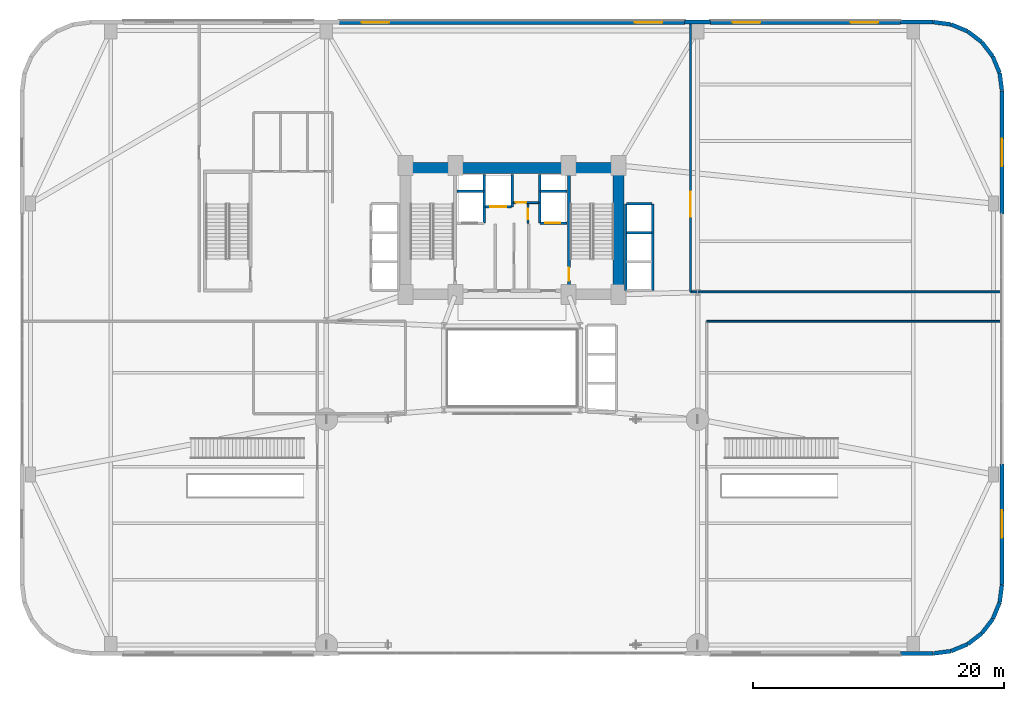
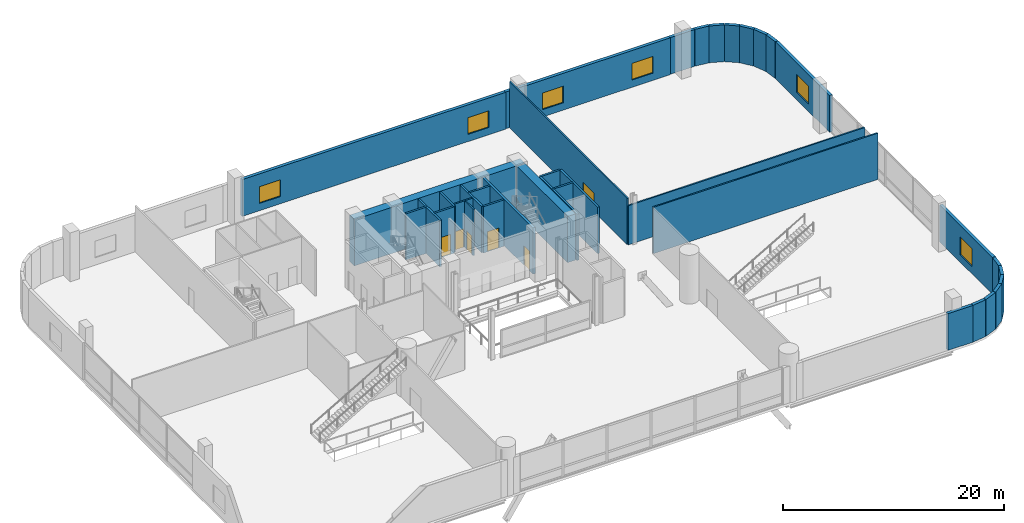
# One storey, part 32 of 40: 38 walls, 6 doors, 6 windows, 12 openings.
"""IFC4 building model written with IfcOpenShell, lengths in metres."""

from ifc_helpers import new_model, si_unit, direction, frame, frame_2d, origin, place, context, subcontext, project, spatial, rectangle, extrude, material, layer, layer_set, type_object, element, fill, save


model = new_model("IFC4")

# Units and contexts
model_context = context("Model", 3, precision=1e-05, world=origin(), true_north=direction((0.0, 1.0)))
body_context = subcontext(model_context, "Body", "Model", "MODEL_VIEW")
ifc_project = project(units=[si_unit("LENGTHUNIT", "METRE"), si_unit("AREAUNIT", "SQUARE_METRE"), si_unit("VOLUMEUNIT", "CUBIC_METRE"), si_unit("PLANEANGLEUNIT", "RADIAN"), si_unit("MASSUNIT", "GRAM", prefix="KILO")], contexts=[model_context])

# Site, building, storey
site_placement = place(None, origin())
site = spatial("IfcSite", under=ifc_project, at=site_placement, CompositionType="ELEMENT")
building_placement = place(site_placement, origin())
building = spatial("IfcBuilding", under=site, at=building_placement, Name="Varnelok Gate Tower", CompositionType="ELEMENT")
storey_placement = place(building_placement, frame((0.0, 0.0, 5.39990234375)))
storey = spatial("IfcBuildingStorey", under=building, at=storey_placement, Name="L01", CompositionType="ELEMENT", Elevation=5.39990234375)

# Wall, openings, windows
ifc_material_1 = material(Name="Concrete C45/55", Category="concrete")
ifc_layer_1 = layer(ifc_material_1, 0.320068359375)
ifc_layer_set_1 = layer_set([ifc_layer_1], Name="Concrete C45/55")
wall_type_1 = type_object("IfcWallType", Name="EW-POD-320", PredefinedType="SOLIDWALL", material=ifc_layer_set_1)
wall_1_placement = place(storey_placement, frame((25.39990234375, 50.43994140625, 0.0), z_axis=(0.0, 0.0, 1.0), x_axis=(1.0, 0.0, 0.0)))
wall_1 = element("IfcWall", 1, at=wall_1_placement, inside=storey, type_object=wall_type_1, Name="L01 North Podium Wall 2", PredefinedType="SOLIDWALL", context=body_context, shape_type="SweptSolid", body=[
    extrude(rectangle(XDim=27.60009765625, YDim=0.320068359375, at=frame_2d((13.800048828125, 0.0))), origin(), (0.0, 0.0, 1.0), 4.070068359375),
])
opening_1_placement = place(wall_1_placement, frame((1.800048828125, 0.0, 0.800048828125)))
opening_1 = element("IfcOpeningElement", 2, at=opening_1_placement, cuts=wall_1, Name="Opening WN2", PredefinedType="OPENING", context=body_context, shape_type="SweptSolid", body=[
    extrude(rectangle(XDim=2.199951171875, YDim=1.85009765625, at=frame_2d((1.10009765625, 0.925048828125))), frame((0.0, 0.169921875, 0.0), z_axis=(0.0, -1.0, 0.0), x_axis=(1.0, 0.0, 0.0)), (0.0, 0.0, 1.0), 0.340087890625),
])
opening_2_placement = place(wall_1_placement, frame((23.60009765625, 0.0, 0.800048828125)))
opening_2 = element("IfcOpeningElement", 3, at=opening_2_placement, cuts=wall_1, Name="Opening WN2", PredefinedType="OPENING", context=body_context, shape_type="SweptSolid", body=[
    extrude(rectangle(XDim=2.199951171875, YDim=1.85009765625, at=frame_2d((1.10009765625, 0.925048828125))), frame((0.0, 0.169921875, 0.0), z_axis=(0.0, -1.0, 0.0), x_axis=(1.0, 0.0, 0.0)), (0.0, 0.0, 1.0), 0.340087890625),
])
ifc_material_2 = material(Name="Low-E Laminated Double Glazing IGU", Category="glass")
window_type_1 = type_object("IfcWindowType", Name="WN-POD-2200", PartitioningType="SINGLE_PANEL", PredefinedType="WINDOW", material=ifc_material_2)
window_1_placement = place(opening_1_placement, origin())
window_1 = element("IfcWindow", 4, at=window_1_placement, inside=storey, type_object=window_type_1, Name="L01 Podium Window N2.1", OverallHeight=1.85009765625, OverallWidth=2.199951171875, PartitioningType="SINGLE_PANEL", PredefinedType="WINDOW", context=body_context, shape_type="SweptSolid", body=[
    extrude(rectangle(XDim=2.199951171875, YDim=1.85009765625, at=frame_2d((1.10009765625, 0.925048828125))), frame((0.0, 0.030029296875, 0.0), z_axis=(0.0, -1.0, 0.0), x_axis=(1.0, 0.0, 0.0)), (0.0, 0.0, 1.0), 0.06005859375),
])
fill(opening_1, window_1)
window_2_placement = place(opening_2_placement, origin())
window_2 = element("IfcWindow", 5, at=window_2_placement, inside=storey, type_object=window_type_1, Name="L01 Podium Window N2.2", OverallHeight=1.85009765625, OverallWidth=2.199951171875, PartitioningType="SINGLE_PANEL", PredefinedType="WINDOW", context=body_context, shape_type="SweptSolid", body=[
    extrude(rectangle(XDim=2.199951171875, YDim=1.85009765625, at=frame_2d((1.10009765625, 0.925048828125))), frame((0.0, 0.030029296875, 0.0), z_axis=(0.0, -1.0, 0.0), x_axis=(1.0, 0.0, 0.0)), (0.0, 0.0, 1.0), 0.06005859375),
])
fill(opening_2, window_2)

wall_2_placement = place(storey_placement, frame((55.0, 50.43994140625, 0.0), z_axis=(0.0, 0.0, 1.0), x_axis=(1.0, 0.0, 0.0)))
wall_2 = element("IfcWall", 6, at=wall_2_placement, inside=storey, type_object=wall_type_1, Name="L01 North Podium Wall 3", PredefinedType="SOLIDWALL", context=body_context, shape_type="SweptSolid", body=[
    extrude(rectangle(XDim=15.199951171875, YDim=0.320068359375, at=frame_2d((7.60009765625, 0.0))), origin(), (0.0, 0.0, 1.0), 4.070068359375),
])
opening_3_placement = place(wall_2_placement, frame((1.800048828125, 0.0, 0.800048828125)))
opening_3 = element("IfcOpeningElement", 7, at=opening_3_placement, cuts=wall_2, Name="Opening WN2", PredefinedType="OPENING", context=body_context, shape_type="SweptSolid", body=[
    extrude(rectangle(XDim=2.199951171875, YDim=1.85009765625, at=frame_2d((1.10009765625, 0.925048828125))), frame((0.0, 0.169921875, 0.0), z_axis=(0.0, -1.0, 0.0), x_axis=(1.0, 0.0, 0.0)), (0.0, 0.0, 1.0), 0.340087890625),
])
opening_4_placement = place(wall_2_placement, frame((11.199951171875, 0.0, 0.800048828125)))
opening_4 = element("IfcOpeningElement", 8, at=opening_4_placement, cuts=wall_2, Name="Opening WN2", PredefinedType="OPENING", context=body_context, shape_type="SweptSolid", body=[
    extrude(rectangle(XDim=2.199951171875, YDim=1.85009765625, at=frame_2d((1.10009765625, 0.925048828125))), frame((0.0, 0.169921875, 0.0), z_axis=(0.0, -1.0, 0.0), x_axis=(1.0, 0.0, 0.0)), (0.0, 0.0, 1.0), 0.340087890625),
])
window_3_placement = place(opening_3_placement, origin())
window_3 = element("IfcWindow", 9, at=window_3_placement, inside=storey, type_object=window_type_1, Name="L01 Podium Window N3.1", OverallHeight=1.85009765625, OverallWidth=2.199951171875, PartitioningType="SINGLE_PANEL", PredefinedType="WINDOW", context=body_context, shape_type="SweptSolid", body=[
    extrude(rectangle(XDim=2.199951171875, YDim=1.85009765625, at=frame_2d((1.10009765625, 0.925048828125))), frame((0.0, 0.030029296875, 0.0), z_axis=(0.0, -1.0, 0.0), x_axis=(1.0, 0.0, 0.0)), (0.0, 0.0, 1.0), 0.06005859375),
])
fill(opening_3, window_3)
window_4_placement = place(opening_4_placement, origin())
window_4 = element("IfcWindow", 10, at=window_4_placement, inside=storey, type_object=window_type_1, Name="L01 Podium Window N3.2", OverallHeight=1.85009765625, OverallWidth=2.199951171875, PartitioningType="SINGLE_PANEL", PredefinedType="WINDOW", context=body_context, shape_type="SweptSolid", body=[
    extrude(rectangle(XDim=2.199951171875, YDim=1.85009765625, at=frame_2d((1.10009765625, 0.925048828125))), frame((0.0, 0.030029296875, 0.0), z_axis=(0.0, -1.0, 0.0), x_axis=(1.0, 0.0, 0.0)), (0.0, 0.0, 1.0), 0.06005859375),
])
fill(opening_4, window_4)

# Walls
wall_3_placement = place(storey_placement, frame((70.169921875, 0.1201171875, 0.0), z_axis=(0.0, 0.0, 1.0), x_axis=(1.0, 0.0, 0.0)))
element("IfcWall", 11, at=wall_3_placement, inside=storey, type_object=wall_type_1, Name="L01 Perimeter Facade Closure Wall 10", PredefinedType="SOLIDWALL", context=body_context, shape_type="SweptSolid", body=[
    extrude(rectangle(XDim=2.6220703125, YDim=0.320068359375, at=frame_2d((1.31103515625, 0.0))), origin(), (0.0, 0.0, 1.0), 4.070068359375),
])
wall_4_placement = place(storey_placement, frame((72.81689453125, 0.123291015625, 0.0), z_axis=(0.0, 0.0, 1.0), x_axis=(0.991457235349, 0.130432168094, 0.0)))
element("IfcWall", 12, at=wall_4_placement, inside=storey, type_object=wall_type_1, Name="L01 Perimeter Facade Closure Wall 11", PredefinedType="SOLIDWALL", context=body_context, shape_type="SweptSolid", body=[
    extrude(rectangle(XDim=1.4130859375, YDim=0.320068359375, at=frame_2d((0.70654296875, 0.0))), origin(), (0.0, 0.0, 1.0), 4.070068359375),
])
for number, where, z_axis, x_axis, name in (
    (13, (74.2412109375, 0.3173828125, 0.0), (0.0, 0.0, 1.0), (0.923927911071, 0.382566615302, 0.0), "L01 Perimeter Facade Closure Wall 12"),
    (14, (75.559326171875, 0.870361328125, 0.0), (0.0, 0.0, 1.0), (0.79338541907, 0.60871962085, 0.0), "L01 Perimeter Facade Closure Wall 13"),
    (15, (76.689453125, 1.74560546875, 0.0), (0.0, 0.0, 1.0), (0.60871962085, 0.79338541907, 0.0), "L01 Perimeter Facade Closure Wall 14"),
    (16, (77.554443359375, 2.883544921875, 0.0), (0.0, 0.0, 1.0), (0.382714908977, 0.923866493844, 0.0), "L01 Perimeter Facade Closure Wall 15"),
):
    element("IfcWall", number, at=place(storey_placement, frame(where, z_axis=z_axis, x_axis=x_axis)), inside=storey, type_object=wall_type_1, Name=name, PredefinedType="SOLIDWALL", context=body_context, shape_type="SweptSolid", body=[
        extrude(rectangle(XDim=1.4052734375, YDim=0.320068359375, at=frame_2d((0.70263671875, 0.0))), origin(), (0.0, 0.0, 1.0), 4.070068359375),
    ])
wall_5_placement = place(storey_placement, frame((78.095703125, 4.206787109375, 0.0), z_axis=(0.0, 0.0, 1.0), x_axis=(0.130432168094, 0.991457235349, 0.0)))
element("IfcWall", 17, at=wall_5_placement, inside=storey, type_object=wall_type_1, Name="L01 Perimeter Facade Closure Wall 16", PredefinedType="SOLIDWALL", context=body_context, shape_type="SweptSolid", body=[
    extrude(rectangle(XDim=1.4130859375, YDim=0.320068359375, at=frame_2d((0.70654296875, 0.0))), origin(), (0.0, 0.0, 1.0), 4.070068359375),
])

# Wall, opening, window
wall_6_placement = place(storey_placement, frame((78.280029296875, 5.6328125, 0.0), z_axis=(0.0, 0.0, 1.0), x_axis=(0.0, 1.0, 0.0)))
wall_6 = element("IfcWall", 18, at=wall_6_placement, inside=storey, type_object=wall_type_1, Name="L01 Perimeter Facade Closure Wall 17", PredefinedType="SOLIDWALL", context=body_context, shape_type="SweptSolid", body=[
    extrude(rectangle(XDim=9.59716796875, YDim=0.320068359375, at=frame_2d((4.798583984375, 0.0))), origin(), (0.0, 0.0, 1.0), 4.070068359375),
])
opening_5_placement = place(wall_6_placement, frame((3.698486328125, 0.0, 0.800048828125)))
opening_5 = element("IfcOpeningElement", 19, at=opening_5_placement, cuts=wall_6, Name="Opening WN2A", PredefinedType="OPENING", context=body_context, shape_type="SweptSolid", body=[
    extrude(rectangle(XDim=2.199951171875, YDim=2.0, at=frame_2d((1.10009765625, 1.0))), frame((0.0, 0.169921875, 0.0), z_axis=(0.0, -1.0, 0.0), x_axis=(1.0, 0.0, 0.0)), (0.0, 0.0, 1.0), 0.340087890625),
])
window_type_2 = type_object("IfcWindowType", Name="WN-POD-2200X2000", PartitioningType="SINGLE_PANEL", PredefinedType="WINDOW", material=ifc_material_2)
window_5_placement = place(opening_5_placement, origin())
window_5 = element("IfcWindow", 20, at=window_5_placement, inside=storey, type_object=window_type_2, Name="L01 Perimeter Vision Window 17", OverallHeight=2.0, OverallWidth=2.199951171875, PartitioningType="SINGLE_PANEL", PredefinedType="WINDOW", context=body_context, shape_type="SweptSolid", body=[
    extrude(rectangle(XDim=2.199951171875, YDim=2.0, at=frame_2d((1.10009765625, 1.0))), frame((0.0, 0.030029296875, 0.0), z_axis=(0.0, -1.0, 0.0), x_axis=(1.0, 0.0, 0.0)), (0.0, 0.0, 1.0), 0.06005859375),
])
fill(opening_5, window_5)

wall_7_placement = place(storey_placement, frame((78.280029296875, 35.169921875, 0.0), z_axis=(0.0, 0.0, 1.0), x_axis=(0.0, 1.0, 0.0)))
wall_7 = element("IfcWall", 21, at=wall_7_placement, inside=storey, type_object=wall_type_1, Name="L01 Perimeter Facade Closure Wall 18", PredefinedType="SOLIDWALL", context=body_context, shape_type="SweptSolid", body=[
    extrude(rectangle(XDim=9.822265625, YDim=0.320068359375, at=frame_2d((4.9111328125, 0.0))), origin(), (0.0, 0.0, 1.0), 4.070068359375),
])
opening_6_placement = place(wall_7_placement, frame((3.81103515625, 0.0, 0.800048828125)))
opening_6 = element("IfcOpeningElement", 22, at=opening_6_placement, cuts=wall_7, Name="Opening WN2A", PredefinedType="OPENING", context=body_context, shape_type="SweptSolid", body=[
    extrude(rectangle(XDim=2.199951171875, YDim=2.0, at=frame_2d((1.10009765625, 1.0))), frame((0.0, 0.169921875, 0.0), z_axis=(0.0, -1.0, 0.0), x_axis=(1.0, 0.0, 0.0)), (0.0, 0.0, 1.0), 0.340087890625),
])
window_6_placement = place(opening_6_placement, origin())
window_6 = element("IfcWindow", 23, at=window_6_placement, inside=storey, type_object=window_type_2, Name="L01 Perimeter Vision Window 18", OverallHeight=2.0, OverallWidth=2.199951171875, PartitioningType="SINGLE_PANEL", PredefinedType="WINDOW", context=body_context, shape_type="SweptSolid", body=[
    extrude(rectangle(XDim=2.199951171875, YDim=2.0, at=frame_2d((1.10009765625, 1.0))), frame((0.0, 0.030029296875, 0.0), z_axis=(0.0, -1.0, 0.0), x_axis=(1.0, 0.0, 0.0)), (0.0, 0.0, 1.0), 0.06005859375),
])
fill(opening_6, window_6)

# Walls
wall_8_placement = place(storey_placement, frame((78.276611328125, 45.016845703125, 0.0), z_axis=(0.0, 0.0, 1.0), x_axis=(-0.130409831203, 0.991460173646, 0.0)))
element("IfcWall", 24, at=wall_8_placement, inside=storey, type_object=wall_type_1, Name="L01 Perimeter Facade Closure Wall 19", PredefinedType="SOLIDWALL", context=body_context, shape_type="SweptSolid", body=[
    extrude(rectangle(XDim=1.413330078125, YDim=0.320068359375, at=frame_2d((0.70654296875, 0.0))), origin(), (0.0, 0.0, 1.0), 4.070068359375),
])
for number, where, z_axis, x_axis, name in (
    (25, (78.082763671875, 46.441162109375, 0.0), (0.0, 0.0, 1.0), (-0.382714908977, 0.923866493844, 0.0), "L01 Perimeter Facade Closure Wall 20"),
    (26, (77.52978515625, 47.75927734375, 0.0), (0.0, 0.0, 1.0), (-0.60871962085, 0.79338541907, 0.0), "L01 Perimeter Facade Closure Wall 21"),
    (27, (76.654296875, 48.889404296875, 0.0), (0.0, 0.0, 1.0), (-0.793321035123, 0.608803527611, 0.0), "L01 Perimeter Facade Closure Wall 22"),
    (28, (75.516357421875, 49.75439453125, 0.0), (0.0, 0.0, 1.0), (-0.923866493844, 0.382714908977, 0.0), "L01 Perimeter Facade Closure Wall 23"),
):
    element("IfcWall", number, at=place(storey_placement, frame(where, z_axis=z_axis, x_axis=x_axis)), inside=storey, type_object=wall_type_1, Name=name, PredefinedType="SOLIDWALL", context=body_context, shape_type="SweptSolid", body=[
        extrude(rectangle(XDim=1.4052734375, YDim=0.320068359375, at=frame_2d((0.70263671875, 0.0))), origin(), (0.0, 0.0, 1.0), 4.070068359375),
    ])
wall_9_placement = place(storey_placement, frame((74.193359375, 50.295654296875, 0.0), z_axis=(0.0, 0.0, 1.0), x_axis=(-0.991460173646, 0.130409831203, 0.0)))
element("IfcWall", 29, at=wall_9_placement, inside=storey, type_object=wall_type_1, Name="L01 Perimeter Facade Closure Wall 24", PredefinedType="SOLIDWALL", context=body_context, shape_type="SweptSolid", body=[
    extrude(rectangle(XDim=1.413330078125, YDim=0.320068359375, at=frame_2d((0.70654296875, 0.0))), origin(), (0.0, 0.0, 1.0), 4.070068359375),
])
wall_10_placement = place(storey_placement, frame((72.76708984375, 50.47998046875, 0.0), z_axis=(0.0, 0.0, 1.0), x_axis=(-1.0, 0.0, 0.0)))
element("IfcWall", 30, at=wall_10_placement, inside=storey, type_object=wall_type_1, Name="L01 Perimeter Facade Closure Wall 25", PredefinedType="SOLIDWALL", context=body_context, shape_type="SweptSolid", body=[
    extrude(rectangle(XDim=2.59716796875, YDim=0.320068359375, at=frame_2d((1.298583984375, 0.0))), origin(), (0.0, 0.0, 1.0), 4.070068359375),
])
wall_11_placement = place(storey_placement, frame((55.030029296875, 50.47998046875, 0.0), z_axis=(0.0, 0.0, 1.0), x_axis=(-1.0, 0.0, 0.0)))
element("IfcWall", 31, at=wall_11_placement, inside=storey, type_object=wall_type_1, Name="L01 Perimeter Facade Closure Wall 26", PredefinedType="SOLIDWALL", context=body_context, shape_type="SweptSolid", body=[
    extrude(rectangle(XDim=2.06005859375, YDim=0.320068359375, at=frame_2d((1.030029296875, 0.0))), origin(), (0.0, 0.0, 1.0), 4.070068359375),
])
ifc_material_3 = material(Name="Gypsum Plasterboard Acoustic Partition", Category="gypsum")
ifc_layer_2 = layer(ifc_material_3, 0.14990234375)
ifc_layer_set_2 = layer_set([ifc_layer_2], Name="Gypsum Plasterboard Acoustic Partition")
wall_type_2 = type_object("IfcWallType", Name="PW-PART-150", PredefinedType="PARTITIONING", material=ifc_layer_set_2)
wall_12_placement = place(storey_placement, frame((54.719970703125, 26.6201171875, 0.0), z_axis=(0.0, 0.0, 1.0), x_axis=(1.0, 0.0, 0.0)))
element("IfcWall", 32, at=wall_12_placement, inside=storey, type_object=wall_type_2, Name="Interior Partition", PredefinedType="PARTITIONING", context=body_context, shape_type="SweptSolid", body=[
    extrude(rectangle(XDim=23.47998046875, YDim=0.14990234375, at=frame_2d((11.739990234375, 0.0))), origin(), (0.0, 0.0, 1.0), 5.1201171875),
])

# Wall, opening, door
wall_13_placement = place(storey_placement, frame((53.43994140625, 28.9599609375, 0.0), z_axis=(0.0, 0.0, 1.0), x_axis=(0.0, 1.0, 0.0)))
wall_13 = element("IfcWall", 33, at=wall_13_placement, inside=storey, type_object=wall_type_2, Name="Interior Partition", PredefinedType="PARTITIONING", context=body_context, shape_type="SweptSolid", body=[
    extrude(rectangle(XDim=21.340087890625, YDim=0.14990234375, at=frame_2d((10.669921875, 0.0))), origin(), (0.0, 0.0, 1.0), 5.1201171875),
])
opening_7_placement = place(wall_13_placement, frame((6.0, 0.0, 0.0)))
opening_7 = element("IfcOpeningElement", 34, at=opening_7_placement, cuts=wall_13, Name="Opening D-BL", PredefinedType="OPENING", context=body_context, shape_type="SweptSolid", body=[
    extrude(rectangle(XDim=2.0, YDim=2.050048828125, at=frame_2d((1.0, 1.02490234375))), frame((0.0, 0.0849609375, 0.0), z_axis=(0.0, -1.0, 0.0), x_axis=(1.0, 0.0, 0.0)), (0.0, 0.0, 1.0), 0.169921875),
])
ifc_material_4 = material(Name="Engineered Hardwood Timber", Category="wood")
door_type_1 = type_object("IfcDoorType", Name="DR-BALL-2000", OperationType="DOUBLE_DOOR_SINGLE_SWING", PredefinedType="DOOR", material=ifc_material_4)
door_1_placement = place(opening_7_placement, origin())
door_1 = element("IfcDoor", 35, at=door_1_placement, inside=storey, type_object=door_type_1, Name="L01 Espresso Lounge Door", OperationType="DOUBLE_DOOR_SINGLE_SWING", OverallHeight=2.050048828125, OverallWidth=2.0, PredefinedType="DOOR", context=body_context, shape_type="SweptSolid", body=[
    extrude(rectangle(XDim=2.0, YDim=2.050048828125, at=frame_2d((1.0, 1.02490234375))), frame((0.0, 0.02490234375, 0.0), z_axis=(0.0, -1.0, 0.0), x_axis=(1.0, 0.0, 0.0)), (0.0, 0.0, 1.0), 0.050048828125),
])
fill(opening_7, door_1)

# Wall
wall_14_placement = place(storey_placement, frame((53.43994140625, 28.9599609375, 0.0), z_axis=(0.0, 0.0, 1.0), x_axis=(1.0, 0.0, 0.0)))
element("IfcWall", 36, at=wall_14_placement, inside=storey, type_object=wall_type_2, Name="Interior Partition", PredefinedType="PARTITIONING", context=body_context, shape_type="SweptSolid", body=[
    extrude(rectangle(XDim=24.760009765625, YDim=0.14990234375, at=frame_2d((12.3798828125, 0.0))), origin(), (0.0, 0.0, 1.0), 4.33203125),
])

# Wall, opening, door
wall_15_placement = place(storey_placement, frame((39.300048828125, 36.080078125, 0.0), z_axis=(0.0, 0.0, 1.0), x_axis=(1.0, 0.0, 0.0)))
wall_15 = element("IfcWall", 37, at=wall_15_placement, inside=storey, type_object=wall_type_2, Name="L01 Electrical Closet South Wall", PredefinedType="PARTITIONING", context=body_context, shape_type="SweptSolid", body=[
    extrude(rectangle(XDim=2.02001953125, YDim=0.14990234375, at=frame_2d((1.010009765625, 0.0))), origin(), (0.0, 0.0, 1.0), 5.1201171875),
])
opening_8_placement = place(wall_15_placement, frame((0.179931640625, 0.0, 0.0)))
opening_8 = element("IfcOpeningElement", 38, at=opening_8_placement, cuts=wall_15, Name="Opening D-RS", PredefinedType="OPENING", context=body_context, shape_type="SweptSolid", body=[
    extrude(rectangle(XDim=0.85009765625, YDim=2.050048828125, at=frame_2d((0.425048828125, 1.02490234375))), frame((0.0, 0.0849609375, 0.0), z_axis=(0.0, -1.0, 0.0), x_axis=(1.0, 0.0, 0.0)), (0.0, 0.0, 1.0), 0.169921875),
])
ifc_material_5 = material(Name="Galvanized Steel Grade S350GD", Category="steel")
door_type_2 = type_object("IfcDoorType", Name="DR-RISER-850", OperationType="NOTDEFINED", PredefinedType="DOOR", material=ifc_material_5)
door_2_placement = place(opening_8_placement, origin())
door_2 = element("IfcDoor", 39, at=door_2_placement, inside=storey, type_object=door_type_2, Name="L01 Electrical Closet Door", OperationType="SINGLE_SWING_RIGHT", OverallHeight=2.050048828125, OverallWidth=0.85009765625, PredefinedType="DOOR", context=body_context, shape_type="SweptSolid", body=[
    extrude(rectangle(XDim=0.85009765625, YDim=2.050048828125, at=frame_2d((0.425048828125, 1.02490234375))), frame((0.0, 0.02490234375, 0.0), z_axis=(0.0, -1.0, 0.0), x_axis=(1.0, 0.0, 0.0)), (0.0, 0.0, 1.0), 0.050048828125),
])
fill(opening_8, door_2)

wall_16_placement = place(storey_placement, frame((40.47998046875, 34.43994140625, 0.0), z_axis=(0.0, 0.0, 1.0), x_axis=(0.0, 1.0, 0.0)))
wall_16 = element("IfcWall", 40, at=wall_16_placement, inside=storey, type_object=wall_type_2, Name="L01 Telecoms Closet West Wall", PredefinedType="PARTITIONING", context=body_context, shape_type="SweptSolid", body=[
    extrude(rectangle(XDim=1.52001953125, YDim=0.14990234375, at=frame_2d((0.760009765625, 0.0))), origin(), (0.0, 0.0, 1.0), 5.1201171875),
])
opening_9_placement = place(wall_16_placement, frame((0.320068359375, 0.0, 0.0)))
opening_9 = element("IfcOpeningElement", 41, at=opening_9_placement, cuts=wall_16, Name="Opening D-RS", PredefinedType="OPENING", context=body_context, shape_type="SweptSolid", body=[
    extrude(rectangle(XDim=0.85009765625, YDim=2.050048828125, at=frame_2d((0.425048828125, 1.02490234375))), frame((0.0, 0.0849609375, 0.0), z_axis=(0.0, -1.0, 0.0), x_axis=(1.0, 0.0, 0.0)), (0.0, 0.0, 1.0), 0.169921875),
])
door_3_placement = place(opening_9_placement, origin())
door_3 = element("IfcDoor", 42, at=door_3_placement, inside=storey, type_object=door_type_2, Name="L01 Telecoms Closet Door", OperationType="SINGLE_SWING_LEFT", OverallHeight=2.050048828125, OverallWidth=0.85009765625, PredefinedType="DOOR", context=body_context, shape_type="SweptSolid", body=[
    extrude(rectangle(XDim=0.85009765625, YDim=2.050048828125, at=frame_2d((0.425048828125, 1.02490234375))), frame((0.0, 0.02490234375, 0.0), z_axis=(0.0, -1.0, 0.0), x_axis=(1.0, 0.0, 0.0)), (0.0, 0.0, 1.0), 0.050048828125),
])
fill(opening_9, door_3)

# Walls
ifc_material_6 = material(Name="Concrete C35/45", Category="concrete")
ifc_layer_3 = layer(ifc_material_6, 0.199951171875)
ifc_layer_set_3 = layer_set([ifc_layer_3], Name="Concrete C35/45")
wall_type_3 = type_object("IfcWallType", Name="PW-SHAFT-200", PredefinedType="PARTITIONING", material=ifc_layer_set_3)
wall_17_placement = place(storey_placement, frame((34.800048828125, 36.97998046875, 0.0), z_axis=(0.0, 0.0, 1.0), x_axis=(1.0, 0.0, 0.0)))
element("IfcWall", 43, at=wall_17_placement, inside=storey, type_object=wall_type_3, Name="L01 FF1 Shaft North Wall", PredefinedType="PARTITIONING", context=body_context, shape_type="SweptSolid", body=[
    extrude(rectangle(XDim=2.179931640625, YDim=0.199951171875, at=frame_2d((1.08984375, 0.0))), origin(), (0.0, 0.0, 1.0), 5.1201171875),
])
wall_18_placement = place(storey_placement, frame((37.0, 34.43994140625, 0.0), z_axis=(0.0, 0.0, 1.0), x_axis=(0.0, 1.0, 0.0)))
element("IfcWall", 44, at=wall_18_placement, inside=storey, type_object=wall_type_3, Name="L01 FF1 Shaft Side Wall", PredefinedType="PARTITIONING", context=body_context, shape_type="SweptSolid", body=[
    extrude(rectangle(XDim=3.900146484375, YDim=0.199951171875, at=frame_2d((1.9501953125, 0.0))), origin(), (0.0, 0.0, 1.0), 5.1201171875),
])

# Wall, opening, door
wall_19_placement = place(storey_placement, frame((41.419921875, 34.43994140625, 0.0), z_axis=(0.0, 0.0, 1.0), x_axis=(1.0, 0.0, 0.0)))
wall_19 = element("IfcWall", 45, at=wall_19_placement, inside=storey, type_object=wall_type_3, Name="L01 FF2 Shaft Front Wall", PredefinedType="PARTITIONING", context=body_context, shape_type="SweptSolid", body=[
    extrude(rectangle(XDim=2.18017578125, YDim=0.199951171875, at=frame_2d((1.090087890625, 0.0))), origin(), (0.0, 0.0, 1.0), 5.1201171875),
])
opening_10_placement = place(wall_19_placement, frame((0.419921875, 0.0, 0.0)))
opening_10 = element("IfcOpeningElement", 46, at=opening_10_placement, cuts=wall_19, Name="Opening LD-FF2", PredefinedType="OPENING", context=body_context, shape_type="SweptSolid", body=[
    extrude(rectangle(XDim=1.199951171875, YDim=2.199951171875, at=frame_2d((0.60009765625, 1.10009765625))), frame((0.0, 0.10986328125, 0.0), z_axis=(0.0, -1.0, 0.0), x_axis=(1.0, 0.0, 0.0)), (0.0, 0.0, 1.0), 0.219970703125),
])
door_type_3 = type_object("IfcDoorType", Name="DR-LIFT-FF1200", OperationType="SLIDING_TO_LEFT", PredefinedType="DOOR", material=ifc_material_5)
door_4_placement = place(opening_10_placement, origin())
door_4 = element("IfcDoor", 47, at=door_4_placement, inside=storey, type_object=door_type_3, Name="L01 Firefighting Lift Landing Door LD-FF2", OperationType="SLIDING_TO_LEFT", OverallHeight=2.199951171875, OverallWidth=1.199951171875, PredefinedType="DOOR", context=body_context, shape_type="SweptSolid", body=[
    extrude(rectangle(XDim=1.199951171875, YDim=2.199951171875, at=frame_2d((0.60009765625, 1.10009765625))), frame((0.0, 0.02490234375, 0.0), z_axis=(0.0, -1.0, 0.0), x_axis=(1.0, 0.0, 0.0)), (0.0, 0.0, 1.0), 0.050048828125),
])
fill(opening_10, door_4)

# Walls
wall_20_placement = place(storey_placement, frame((41.419921875, 36.97998046875, 0.0), z_axis=(0.0, 0.0, 1.0), x_axis=(1.0, 0.0, 0.0)))
element("IfcWall", 48, at=wall_20_placement, inside=storey, type_object=wall_type_3, Name="L01 FF2 Shaft North Wall", PredefinedType="PARTITIONING", context=body_context, shape_type="SweptSolid", body=[
    extrude(rectangle(XDim=2.18017578125, YDim=0.199951171875, at=frame_2d((1.090087890625, 0.0))), origin(), (0.0, 0.0, 1.0), 5.1201171875),
])
wall_21_placement = place(storey_placement, frame((41.39990234375, 34.43994140625, 0.0), z_axis=(0.0, 0.0, 1.0), x_axis=(0.0, 1.0, 0.0)))
element("IfcWall", 49, at=wall_21_placement, inside=storey, type_object=wall_type_3, Name="L01 FF2 Shaft Side Wall", PredefinedType="PARTITIONING", context=body_context, shape_type="SweptSolid", body=[
    extrude(rectangle(XDim=3.900146484375, YDim=0.199951171875, at=frame_2d((1.9501953125, 0.0))), origin(), (0.0, 0.0, 1.0), 5.1201171875),
])

# Wall, opening, door
wall_22_placement = place(storey_placement, frame((37.06005859375, 35.75, 0.0), z_axis=(0.0, 0.0, 1.0), x_axis=(1.0, 0.0, 0.0)))
wall_22 = element("IfcWall", 50, at=wall_22_placement, inside=storey, type_object=wall_type_3, Name="L01 SV1 Shaft Front Wall", PredefinedType="PARTITIONING", context=body_context, shape_type="SweptSolid", body=[
    extrude(rectangle(XDim=2.119873046875, YDim=0.199951171875, at=frame_2d((1.06005859375, 0.0))), origin(), (0.0, 0.0, 1.0), 5.1201171875),
])
opening_11_placement = place(wall_22_placement, frame((0.39990234375, 0.0, 0.0)))
opening_11 = element("IfcOpeningElement", 51, at=opening_11_placement, cuts=wall_22, Name="Opening LD-SV1", PredefinedType="OPENING", context=body_context, shape_type="SweptSolid", body=[
    extrude(rectangle(XDim=1.300048828125, YDim=2.199951171875, at=frame_2d((0.64990234375, 1.10009765625))), frame((0.0, 0.10986328125, 0.0), z_axis=(0.0, -1.0, 0.0), x_axis=(1.0, 0.0, 0.0)), (0.0, 0.0, 1.0), 0.219970703125),
])
door_type_4 = type_object("IfcDoorType", Name="DR-LIFT-SV1300", OperationType="SLIDING_TO_LEFT", PredefinedType="DOOR", material=ifc_material_5)
door_5_placement = place(opening_11_placement, origin())
door_5 = element("IfcDoor", 52, at=door_5_placement, inside=storey, type_object=door_type_4, Name="L01 Service Lift Landing Door LD-SV1", OperationType="SLIDING_TO_LEFT", OverallHeight=2.199951171875, OverallWidth=1.300048828125, PredefinedType="DOOR", context=body_context, shape_type="SweptSolid", body=[
    extrude(rectangle(XDim=1.300048828125, YDim=2.199951171875, at=frame_2d((0.64990234375, 1.10009765625))), frame((0.0, 0.02490234375, 0.0), z_axis=(0.0, -1.0, 0.0), x_axis=(1.0, 0.0, 0.0)), (0.0, 0.0, 1.0), 0.050048828125),
])
fill(opening_11, door_5)

# Walls
wall_23_placement = place(storey_placement, frame((39.219970703125, 35.75, 0.0), z_axis=(0.0, 0.0, 1.0), x_axis=(0.0, 1.0, 0.0)))
element("IfcWall", 53, at=wall_23_placement, inside=storey, type_object=wall_type_3, Name="L01 SV1 Shaft East Wall", PredefinedType="PARTITIONING", context=body_context, shape_type="SweptSolid", body=[
    extrude(rectangle(XDim=2.590087890625, YDim=0.199951171875, at=frame_2d((1.294921875, 0.0))), origin(), (0.0, 0.0, 1.0), 5.1201171875),
])
for number, where, z_axis, x_axis, name in (
    (54, (48.320068359375, 33.675048828125, 0.0), (0.0, 0.0, 1.0), (1.0, 0.0, 0.0), "L01 PM2 Divider"),
    (55, (48.320068359375, 35.969970703125, 0.0), (0.0, 0.0, 1.0), (1.0, 0.0, 0.0), "L01 PM Bank North Wall"),
):
    element("IfcWall", number, at=place(storey_placement, frame(where, z_axis=z_axis, x_axis=x_axis)), inside=storey, type_object=wall_type_3, Name=name, PredefinedType="PARTITIONING", context=body_context, shape_type="SweptSolid", body=[
        extrude(rectangle(XDim=2.059814453125, YDim=0.199951171875, at=frame_2d((1.02978515625, 0.0))), origin(), (0.0, 0.0, 1.0), 5.1201171875),
    ])
for number, where, z_axis, x_axis, name in (
    (56, (48.280029296875, 29.080078125, 0.0), (0.0, 0.0, 1.0), (0.0, 1.0, 0.0), "L01 PM Bank Back Wall"),
    (57, (50.43994140625, 29.080078125, 0.0), (0.0, 0.0, 1.0), (0.0, 1.0, 0.0), "L01 PM Bank Front Wall"),
):
    element("IfcWall", number, at=place(storey_placement, frame(where, z_axis=z_axis, x_axis=x_axis)), inside=storey, type_object=wall_type_3, Name=name, PredefinedType="PARTITIONING", context=body_context, shape_type="SweptSolid", body=[
        extrude(rectangle(XDim=6.889892578125, YDim=0.199951171875, at=frame_2d((3.44482421875, 0.0))), origin(), (0.0, 0.0, 1.0), 5.1201171875),
    ])
ifc_material_7 = material(Name="Concrete C70/85", Category="concrete")
ifc_layer_4 = layer(ifc_material_7, 0.85009765625)
ifc_layer_set_4 = layer_set([ifc_layer_4], Name="Concrete C70/85")
wall_type_4 = type_object("IfcWallType", Name="SW-CORE-850", PredefinedType="SHEAR", material=ifc_layer_set_4)
wall_24_placement = place(storey_placement, frame((30.280029296875, 38.844970703125, 0.0), z_axis=(0.0, 0.0, 1.0), x_axis=(1.0, 0.0, 0.0)))
element("IfcWall", 58, at=wall_24_placement, inside=storey, type_object=wall_type_4, Name="L01 Rear Core North Shear Wall", PredefinedType="SHEAR", context=body_context, shape_type="SweptSolid", body=[
    extrude(rectangle(XDim=17.840087890625, YDim=0.85009765625, at=frame_2d((8.919921875, 0.0))), origin(), (0.0, 0.0, 1.0), 5.1201171875),
])
wall_25_placement = place(storey_placement, frame((47.695068359375, 29.199951171875, 0.0), z_axis=(0.0, 0.0, 1.0), x_axis=(0.0, 1.0, 0.0)))
element("IfcWall", 59, at=wall_25_placement, inside=storey, type_object=wall_type_4, Name="L01 Rear Core East Shear Wall", PredefinedType="SHEAR", context=body_context, shape_type="SweptSolid", body=[
    extrude(rectangle(XDim=9.219970703125, YDim=0.85009765625, at=frame_2d((4.60986328125, 0.0))), origin(), (0.0, 0.0, 1.0), 5.1201171875),
])

# Wall, opening, door
ifc_material_8 = material(Name="Concrete C60/75", Category="concrete")
ifc_layer_5 = layer(ifc_material_8, 0.25)
ifc_layer_set_5 = layer_set([ifc_layer_5], Name="Concrete C60/75")
wall_type_5 = type_object("IfcWallType", Name="SW-SHAFT-250", PredefinedType="SHEAR", material=ifc_layer_set_5)
wall_26_placement = place(storey_placement, frame((43.760009765625, 29.199951171875, 0.0), z_axis=(0.0, 0.0, 1.0), x_axis=(0.0, 1.0, 0.0)))
wall_26 = element("IfcWall", 60, at=wall_26_placement, inside=storey, type_object=wall_type_5, Name="L01 Stair ST-2 West Shear Wall", PredefinedType="SHEAR", context=body_context, shape_type="SweptSolid", body=[
    extrude(rectangle(XDim=9.219970703125, YDim=0.25, at=frame_2d((4.60986328125, 0.0))), origin(), (0.0, 0.0, 1.0), 5.1201171875),
])
opening_12_placement = place(wall_26_placement, frame((0.64990234375, 0.0, 0.0)))
opening_12 = element("IfcOpeningElement", 61, at=opening_12_placement, cuts=wall_26, Name="Opening D-ST", PredefinedType="OPENING", context=body_context, shape_type="SweptSolid", body=[
    extrude(rectangle(XDim=1.050048828125, YDim=2.14990234375, at=frame_2d((0.52490234375, 1.074951171875))), frame((0.0, 0.135009765625, 0.0), z_axis=(0.0, -1.0, 0.0), x_axis=(1.0, 0.0, 0.0)), (0.0, 0.0, 1.0), 0.27001953125),
])
door_type_5 = type_object("IfcDoorType", Name="DR-STAIR-1050", OperationType="NOTDEFINED", PredefinedType="DOOR", material=ifc_material_5)
door_6_placement = place(opening_12_placement, origin())
door_6 = element("IfcDoor", 62, at=door_6_placement, inside=storey, type_object=door_type_5, Name="L01 Exit Stair ST-2 Fire Door", OperationType="SINGLE_SWING_RIGHT", OverallHeight=2.14990234375, OverallWidth=1.050048828125, PredefinedType="DOOR", context=body_context, shape_type="SweptSolid", body=[
    extrude(rectangle(XDim=1.050048828125, YDim=2.14990234375, at=frame_2d((0.52490234375, 1.074951171875))), frame((0.0, 0.02490234375, 0.0), z_axis=(0.0, -1.0, 0.0), x_axis=(1.0, 0.0, 0.0)), (0.0, 0.0, 1.0), 0.050048828125),
])
fill(opening_12, door_6)

save(model, "model.ifc")
